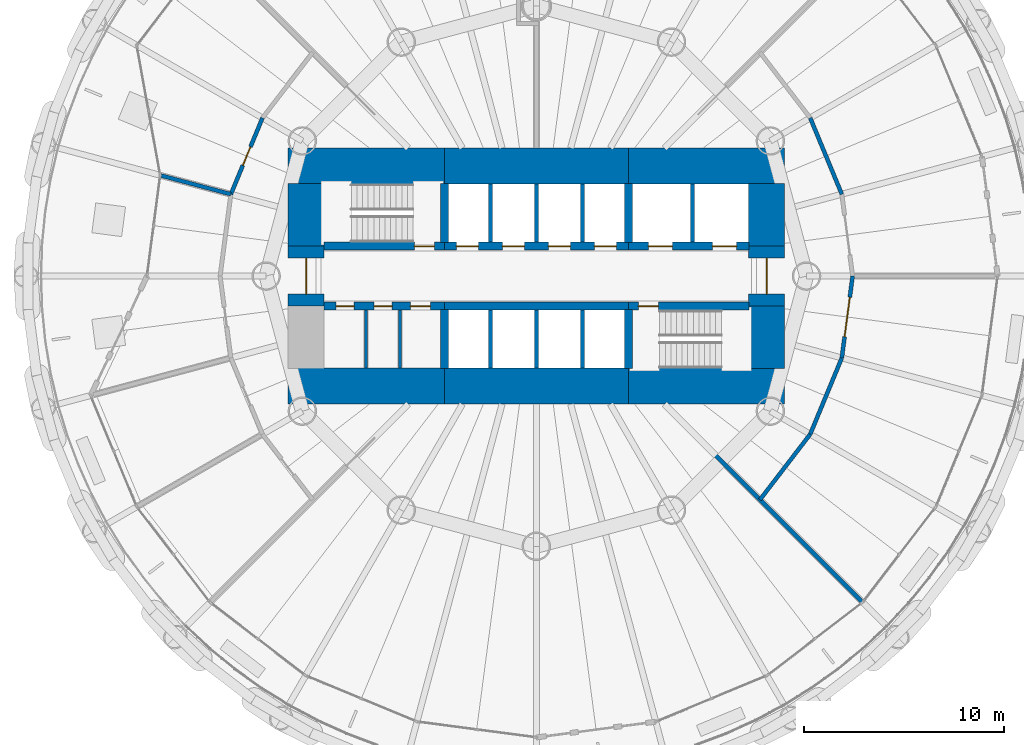
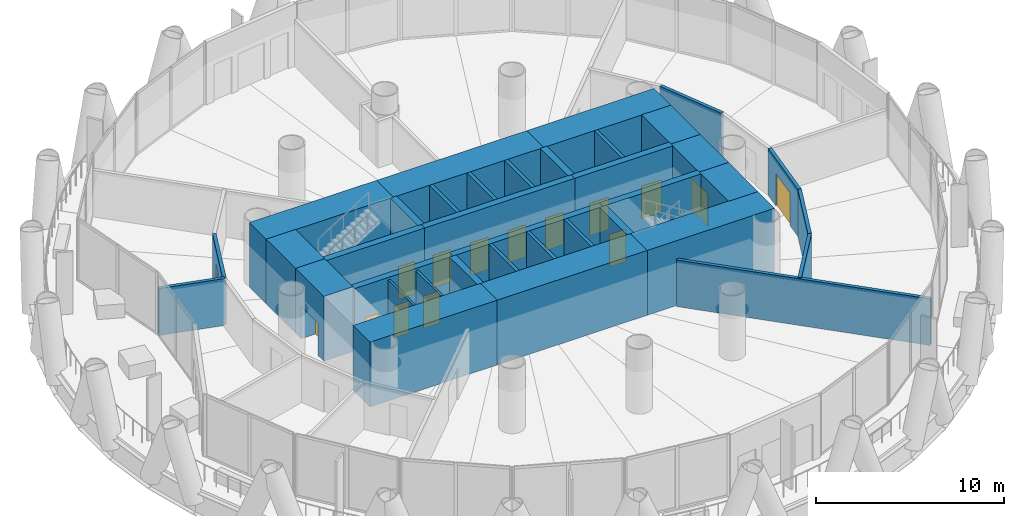
# One storey, part 10 of 15: 37 walls, 15 doors, 15 openings.
"""IFC4 building model written with IfcOpenShell, lengths in metres."""

from ifc_helpers import new_model, si_unit, direction, frame, frame_2d, origin, place, context, subcontext, project, spatial, rectangle, extrude, material, layer, layer_set, type_object, element, fill, save


model = new_model("IFC4")

# Units and contexts
model_context = context("Model", 3, precision=1e-05, world=origin(), true_north=direction((0.0, 1.0)))
body_context = subcontext(model_context, "Body", "Model", "MODEL_VIEW")
ifc_project = project(units=[si_unit("LENGTHUNIT", "METRE"), si_unit("AREAUNIT", "SQUARE_METRE"), si_unit("VOLUMEUNIT", "CUBIC_METRE"), si_unit("PLANEANGLEUNIT", "RADIAN"), si_unit("MASSUNIT", "GRAM", prefix="KILO")], contexts=[model_context])

# Site, building, storey
site_placement = place(None, origin())
site = spatial("IfcSite", under=ifc_project, at=site_placement, CompositionType="ELEMENT")
building_placement = place(site_placement, origin())
building = spatial("IfcBuilding", under=site, at=building_placement, Name="Qaws Media Tower", CompositionType="ELEMENT")
storey_placement = place(building_placement, frame((0.0, 0.0, 72.199951171875)))
storey = spatial("IfcBuildingStorey", under=building, at=storey_placement, Name="L15", CompositionType="ELEMENT", Elevation=72.199951171875)

# Wall, opening, door
ifc_material_1 = material(Name="Concrete C60/75", Category="concrete")
ifc_layer_1 = layer(ifc_material_1, 0.39990234375)
ifc_layer_set_1 = layer_set([ifc_layer_1], Name="Core inner wall 400")
wall_type_1 = type_object("IfcWallType", Name="Core inner wall 400", PredefinedType="SHEAR", material=ifc_layer_set_1)
wall_1_placement = place(storey_placement, frame((49.3798828125, 51.5, 0.0), z_axis=(0.0, 0.0, 1.0), x_axis=(1.0, 0.0, 0.0)))
wall_1 = element("IfcWall", 1, at=wall_1_placement, inside=storey, type_object=wall_type_1, Name="W311 SW4 core wall SPNW L15", PredefinedType="SHEAR", context=body_context, shape_type="SweptSolid", body=[
    extrude(rectangle(XDim=6.02001953125, YDim=0.39990234375, at=frame_2d((3.010009765625, 0.0))), origin(), (0.0, 0.0, 1.0), 4.199951171875),
])
opening_1_placement = place(wall_1_placement, frame((4.52001953125, 0.0, 0.0)))
opening_1 = element("IfcOpeningElement", 2, at=opening_1_placement, cuts=wall_1, Name="Opening D1", PredefinedType="OPENING", context=body_context, shape_type="SweptSolid", body=[
    extrude(rectangle(XDim=1.0, YDim=2.10009765625, at=frame_2d((0.5, 1.050048828125))), frame((0.0, 0.2099609375, 0.0), z_axis=(0.0, -1.0, 0.0), x_axis=(1.0, 0.0, 0.0)), (0.0, 0.0, 1.0), 0.419921875),
])
ifc_material_2 = material(Name="Steel, fire rated", Category="steel")
door_type_1 = type_object("IfcDoorType", Name="Stair door 1000 FD120", OperationType="SINGLE_SWING_LEFT", PredefinedType="DOOR", material=ifc_material_2)
door_1_placement = place(opening_1_placement, origin())
door_1 = element("IfcDoor", 3, at=door_1_placement, inside=storey, type_object=door_type_1, Name="D1 stair S1 door L15 in wall W311", OperationType="SINGLE_SWING_LEFT", OverallHeight=2.10009765625, OverallWidth=1.0, PredefinedType="DOOR", context=body_context, shape_type="SweptSolid", body=[
    extrude(rectangle(XDim=1.0, YDim=2.10009765625, at=frame_2d((0.5, 1.050048828125))), frame((0.0, 0.02490234375, 0.0), z_axis=(0.0, -1.0, 0.0), x_axis=(1.0, 0.0, 0.0)), (0.0, 0.0, 1.0), 0.050048828125),
])
fill(opening_1, door_1)

# Wall, openings, doors
wall_2_placement = place(storey_placement, frame((55.39990234375, 51.5, 0.0), z_axis=(0.0, 0.0, 1.0), x_axis=(1.0, 0.0, 0.0)))
wall_2 = element("IfcWall", 4, at=wall_2_placement, inside=storey, type_object=wall_type_1, Name="W314 SW4 core wall SPN L15", PredefinedType="SHEAR", context=body_context, shape_type="SweptSolid", body=[
    extrude(rectangle(XDim=9.2001953125, YDim=0.39990234375, at=frame_2d((4.60009765625, 0.0))), origin(), (0.0, 0.0, 1.0), 4.199951171875),
])
opening_2_placement = place(wall_2_placement, frame((0.60009765625, 0.0, 0.0)))
opening_2 = element("IfcOpeningElement", 5, at=opening_2_placement, cuts=wall_2, Name="Opening LD", PredefinedType="OPENING", context=body_context, shape_type="SweptSolid", body=[
    extrude(rectangle(XDim=1.10009765625, YDim=2.10009765625, at=frame_2d((0.550048828125, 1.050048828125))), frame((0.0, 0.2099609375, 0.0), z_axis=(0.0, -1.0, 0.0), x_axis=(1.0, 0.0, 0.0)), (0.0, 0.0, 1.0), 0.419921875),
])
opening_3_placement = place(wall_2_placement, frame((2.89990234375, 0.0, 0.0)))
opening_3 = element("IfcOpeningElement", 6, at=opening_3_placement, cuts=wall_2, Name="Opening LD", PredefinedType="OPENING", context=body_context, shape_type="SweptSolid", body=[
    extrude(rectangle(XDim=1.10009765625, YDim=2.10009765625, at=frame_2d((0.550048828125, 1.050048828125))), frame((0.0, 0.2099609375, 0.0), z_axis=(0.0, -1.0, 0.0), x_axis=(1.0, 0.0, 0.0)), (0.0, 0.0, 1.0), 0.419921875),
])
opening_4_placement = place(wall_2_placement, frame((5.199951171875, 0.0, 0.0)))
opening_4 = element("IfcOpeningElement", 7, at=opening_4_placement, cuts=wall_2, Name="Opening LD", PredefinedType="OPENING", context=body_context, shape_type="SweptSolid", body=[
    extrude(rectangle(XDim=1.10009765625, YDim=2.10009765625, at=frame_2d((0.550048828125, 1.050048828125))), frame((0.0, 0.2099609375, 0.0), z_axis=(0.0, -1.0, 0.0), x_axis=(1.0, 0.0, 0.0)), (0.0, 0.0, 1.0), 0.419921875),
])
opening_5_placement = place(wall_2_placement, frame((7.5, 0.0, 0.0)))
opening_5 = element("IfcOpeningElement", 8, at=opening_5_placement, cuts=wall_2, Name="Opening LD", PredefinedType="OPENING", context=body_context, shape_type="SweptSolid", body=[
    extrude(rectangle(XDim=1.10009765625, YDim=2.10009765625, at=frame_2d((0.550048828125, 1.050048828125))), frame((0.0, 0.2099609375, 0.0), z_axis=(0.0, -1.0, 0.0), x_axis=(1.0, 0.0, 0.0)), (0.0, 0.0, 1.0), 0.419921875),
])
ifc_material_3 = material(Name="Steel, fire rated", Category="steel")
door_type_2 = type_object("IfcDoorType", Name="Lift landing door 1100", OperationType="SLIDING_TO_LEFT", PredefinedType="DOOR", material=ifc_material_3)
door_2_placement = place(opening_2_placement, origin())
door_2 = element("IfcDoor", 9, at=door_2_placement, inside=storey, type_object=door_type_2, Name="P1 landing door L15 in wall W314", OperationType="SLIDING_TO_LEFT", OverallHeight=2.10009765625, OverallWidth=1.10009765625, PredefinedType="DOOR", context=body_context, shape_type="SweptSolid", body=[
    extrude(rectangle(XDim=1.10009765625, YDim=2.10009765625, at=frame_2d((0.550048828125, 1.050048828125))), frame((0.0, 0.02490234375, 0.0), z_axis=(0.0, -1.0, 0.0), x_axis=(1.0, 0.0, 0.0)), (0.0, 0.0, 1.0), 0.050048828125),
])
fill(opening_2, door_2)
door_3_placement = place(opening_3_placement, origin())
door_3 = element("IfcDoor", 10, at=door_3_placement, inside=storey, type_object=door_type_2, Name="P2 landing door L15 in wall W314", OperationType="SLIDING_TO_LEFT", OverallHeight=2.10009765625, OverallWidth=1.10009765625, PredefinedType="DOOR", context=body_context, shape_type="SweptSolid", body=[
    extrude(rectangle(XDim=1.10009765625, YDim=2.10009765625, at=frame_2d((0.550048828125, 1.050048828125))), frame((0.0, 0.02490234375, 0.0), z_axis=(0.0, -1.0, 0.0), x_axis=(1.0, 0.0, 0.0)), (0.0, 0.0, 1.0), 0.050048828125),
])
fill(opening_3, door_3)
door_4_placement = place(opening_4_placement, origin())
door_4 = element("IfcDoor", 11, at=door_4_placement, inside=storey, type_object=door_type_2, Name="P3 landing door L15 in wall W314", OperationType="SLIDING_TO_LEFT", OverallHeight=2.10009765625, OverallWidth=1.10009765625, PredefinedType="DOOR", context=body_context, shape_type="SweptSolid", body=[
    extrude(rectangle(XDim=1.10009765625, YDim=2.10009765625, at=frame_2d((0.550048828125, 1.050048828125))), frame((0.0, 0.02490234375, 0.0), z_axis=(0.0, -1.0, 0.0), x_axis=(1.0, 0.0, 0.0)), (0.0, 0.0, 1.0), 0.050048828125),
])
fill(opening_4, door_4)
door_5_placement = place(opening_5_placement, origin())
door_5 = element("IfcDoor", 12, at=door_5_placement, inside=storey, type_object=door_type_2, Name="P4 landing door L15 in wall W314", OperationType="SLIDING_TO_LEFT", OverallHeight=2.10009765625, OverallWidth=1.10009765625, PredefinedType="DOOR", context=body_context, shape_type="SweptSolid", body=[
    extrude(rectangle(XDim=1.10009765625, YDim=2.10009765625, at=frame_2d((0.550048828125, 1.050048828125))), frame((0.0, 0.02490234375, 0.0), z_axis=(0.0, -1.0, 0.0), x_axis=(1.0, 0.0, 0.0)), (0.0, 0.0, 1.0), 0.050048828125),
])
fill(opening_5, door_5)

wall_3_placement = place(storey_placement, frame((64.60009765625, 51.5, 0.0), z_axis=(0.0, 0.0, 1.0), x_axis=(1.0, 0.0, 0.0)))
wall_3 = element("IfcWall", 13, at=wall_3_placement, inside=storey, type_object=wall_type_1, Name="W318 SW4 core wall SPNE L15", PredefinedType="SHEAR", context=body_context, shape_type="SweptSolid", body=[
    extrude(rectangle(XDim=6.02001953125, YDim=0.39990234375, at=frame_2d((3.010009765625, 0.0))), origin(), (0.0, 0.0, 1.0), 4.199951171875),
])
opening_6_placement = place(wall_3_placement, frame((1.0, 0.0, 0.0)))
opening_6 = element("IfcOpeningElement", 14, at=opening_6_placement, cuts=wall_3, Name="Opening LD2", PredefinedType="OPENING", context=body_context, shape_type="SweptSolid", body=[
    extrude(rectangle(XDim=1.199951171875, YDim=2.10009765625, at=frame_2d((0.60009765625, 1.050048828125))), frame((0.0, 0.2099609375, 0.0), z_axis=(0.0, -1.0, 0.0), x_axis=(1.0, 0.0, 0.0)), (0.0, 0.0, 1.0), 0.419921875),
])
opening_7_placement = place(wall_3_placement, frame((4.199951171875, 0.0, 0.0)))
opening_7 = element("IfcOpeningElement", 15, at=opening_7_placement, cuts=wall_3, Name="Opening LD2", PredefinedType="OPENING", context=body_context, shape_type="SweptSolid", body=[
    extrude(rectangle(XDim=1.199951171875, YDim=2.10009765625, at=frame_2d((0.60009765625, 1.050048828125))), frame((0.0, 0.2099609375, 0.0), z_axis=(0.0, -1.0, 0.0), x_axis=(1.0, 0.0, 0.0)), (0.0, 0.0, 1.0), 0.419921875),
])
ifc_material_4 = material(Name="Steel, fire rated", Category="steel")
door_type_3 = type_object("IfcDoorType", Name="Lift landing door 1200", OperationType="SLIDING_TO_LEFT", PredefinedType="DOOR", material=ifc_material_4)
door_6_placement = place(opening_6_placement, origin())
door_6 = element("IfcDoor", 16, at=door_6_placement, inside=storey, type_object=door_type_3, Name="FL1 landing door L15 in wall W318", OperationType="SLIDING_TO_LEFT", OverallHeight=2.10009765625, OverallWidth=1.199951171875, PredefinedType="DOOR", context=body_context, shape_type="SweptSolid", body=[
    extrude(rectangle(XDim=1.199951171875, YDim=2.10009765625, at=frame_2d((0.60009765625, 1.050048828125))), frame((0.0, 0.02490234375, 0.0), z_axis=(0.0, -1.0, 0.0), x_axis=(1.0, 0.0, 0.0)), (0.0, 0.0, 1.0), 0.050048828125),
])
fill(opening_6, door_6)
door_7_placement = place(opening_7_placement, origin())
door_7 = element("IfcDoor", 17, at=door_7_placement, inside=storey, type_object=door_type_3, Name="FL2 landing door L15 in wall W318", OperationType="SLIDING_TO_LEFT", OverallHeight=2.10009765625, OverallWidth=1.199951171875, PredefinedType="DOOR", context=body_context, shape_type="SweptSolid", body=[
    extrude(rectangle(XDim=1.199951171875, YDim=2.10009765625, at=frame_2d((0.60009765625, 1.050048828125))), frame((0.0, 0.02490234375, 0.0), z_axis=(0.0, -1.0, 0.0), x_axis=(1.0, 0.0, 0.0)), (0.0, 0.0, 1.0), 0.050048828125),
])
fill(opening_7, door_7)

wall_4_placement = place(storey_placement, frame((49.3798828125, 48.5, 0.0), z_axis=(0.0, 0.0, 1.0), x_axis=(1.0, 0.0, 0.0)))
wall_4 = element("IfcWall", 18, at=wall_4_placement, inside=storey, type_object=wall_type_1, Name="W310 SW4 core wall SPSW L15", PredefinedType="SHEAR", context=body_context, shape_type="SweptSolid", body=[
    extrude(rectangle(XDim=6.02001953125, YDim=0.39990234375, at=frame_2d((3.010009765625, 0.0))), origin(), (0.0, 0.0, 1.0), 4.199951171875),
])
opening_8_placement = place(wall_4_placement, frame((0.6201171875, 0.0, 0.0)))
opening_8 = element("IfcOpeningElement", 19, at=opening_8_placement, cuts=wall_4, Name="Opening D3", PredefinedType="OPENING", context=body_context, shape_type="SweptSolid", body=[
    extrude(rectangle(XDim=0.89990234375, YDim=2.10009765625, at=frame_2d((0.449951171875, 1.050048828125))), frame((0.0, 0.2099609375, 0.0), z_axis=(0.0, -1.0, 0.0), x_axis=(1.0, 0.0, 0.0)), (0.0, 0.0, 1.0), 0.419921875),
])
opening_9_placement = place(wall_4_placement, frame((2.52001953125, 0.0, 0.0)))
opening_9 = element("IfcOpeningElement", 20, at=opening_9_placement, cuts=wall_4, Name="Opening D3", PredefinedType="OPENING", context=body_context, shape_type="SweptSolid", body=[
    extrude(rectangle(XDim=0.89990234375, YDim=2.10009765625, at=frame_2d((0.449951171875, 1.050048828125))), frame((0.0, 0.2099609375, 0.0), z_axis=(0.0, -1.0, 0.0), x_axis=(1.0, 0.0, 0.0)), (0.0, 0.0, 1.0), 0.419921875),
])
opening_10_placement = place(wall_4_placement, frame((4.320068359375, 0.0, 0.0)))
opening_10 = element("IfcOpeningElement", 21, at=opening_10_placement, cuts=wall_4, Name="Opening D4", PredefinedType="OPENING", context=body_context, shape_type="SweptSolid", body=[
    extrude(rectangle(XDim=1.0, YDim=2.10009765625, at=frame_2d((0.5, 1.050048828125))), frame((0.0, 0.2099609375, 0.0), z_axis=(0.0, -1.0, 0.0), x_axis=(1.0, 0.0, 0.0)), (0.0, 0.0, 1.0), 0.419921875),
])
ifc_material_5 = material(Name="Timber veneered", Category="wood")
door_type_4 = type_object("IfcDoorType", Name="Accessible WC door 1000", OperationType="SLIDING_TO_LEFT", PredefinedType="DOOR", material=ifc_material_5)
door_8_placement = place(opening_10_placement, origin())
door_8 = element("IfcDoor", 22, at=door_8_placement, inside=storey, type_object=door_type_4, Name="D4 toilet door 3 L15 in wall W310", OperationType="SLIDING_TO_LEFT", OverallHeight=2.10009765625, OverallWidth=1.0, PredefinedType="DOOR", context=body_context, shape_type="SweptSolid", body=[
    extrude(rectangle(XDim=1.0, YDim=2.10009765625, at=frame_2d((0.5, 1.050048828125))), frame((0.0, 0.02490234375, 0.0), z_axis=(0.0, -1.0, 0.0), x_axis=(1.0, 0.0, 0.0)), (0.0, 0.0, 1.0), 0.050048828125),
])
fill(opening_10, door_8)
ifc_material_6 = material(Name="Timber veneered", Category="wood")
door_type_5 = type_object("IfcDoorType", Name="Toilet door 900", OperationType="SINGLE_SWING_RIGHT", PredefinedType="DOOR", material=ifc_material_6)
door_9_placement = place(opening_8_placement, origin())
door_9 = element("IfcDoor", 23, at=door_9_placement, inside=storey, type_object=door_type_5, Name="D3 toilet door 1 L15 in wall W310", OperationType="SINGLE_SWING_RIGHT", OverallHeight=2.10009765625, OverallWidth=0.89990234375, PredefinedType="DOOR", context=body_context, shape_type="SweptSolid", body=[
    extrude(rectangle(XDim=0.89990234375, YDim=2.10009765625, at=frame_2d((0.449951171875, 1.050048828125))), frame((0.0, 0.02490234375, 0.0), z_axis=(0.0, -1.0, 0.0), x_axis=(1.0, 0.0, 0.0)), (0.0, 0.0, 1.0), 0.050048828125),
])
fill(opening_8, door_9)
door_10_placement = place(opening_9_placement, origin())
door_10 = element("IfcDoor", 24, at=door_10_placement, inside=storey, type_object=door_type_5, Name="D3 toilet door 2 L15 in wall W310", OperationType="SINGLE_SWING_RIGHT", OverallHeight=2.10009765625, OverallWidth=0.89990234375, PredefinedType="DOOR", context=body_context, shape_type="SweptSolid", body=[
    extrude(rectangle(XDim=0.89990234375, YDim=2.10009765625, at=frame_2d((0.449951171875, 1.050048828125))), frame((0.0, 0.02490234375, 0.0), z_axis=(0.0, -1.0, 0.0), x_axis=(1.0, 0.0, 0.0)), (0.0, 0.0, 1.0), 0.050048828125),
])
fill(opening_9, door_10)

# Wall
wall_5_placement = place(storey_placement, frame((55.39990234375, 48.5, 0.0), z_axis=(0.0, 0.0, 1.0), x_axis=(1.0, 0.0, 0.0)))
element("IfcWall", 25, at=wall_5_placement, inside=storey, type_object=wall_type_1, Name="W313 SW4 core wall SPS L15", PredefinedType="SHEAR", context=body_context, shape_type="SweptSolid", body=[
    extrude(rectangle(XDim=9.2001953125, YDim=0.39990234375, at=frame_2d((4.60009765625, 0.0))), origin(), (0.0, 0.0, 1.0), 4.199951171875),
])

# Wall, opening, door
wall_6_placement = place(storey_placement, frame((64.60009765625, 48.5, 0.0), z_axis=(0.0, 0.0, 1.0), x_axis=(1.0, 0.0, 0.0)))
wall_6 = element("IfcWall", 26, at=wall_6_placement, inside=storey, type_object=wall_type_1, Name="W317 SW4 core wall SPSE L15", PredefinedType="SHEAR", context=body_context, shape_type="SweptSolid", body=[
    extrude(rectangle(XDim=6.02001953125, YDim=0.39990234375, at=frame_2d((3.010009765625, 0.0))), origin(), (0.0, 0.0, 1.0), 4.199951171875),
])
opening_11_placement = place(wall_6_placement, frame((0.5, 0.0, 0.0)))
opening_11 = element("IfcOpeningElement", 27, at=opening_11_placement, cuts=wall_6, Name="Opening D1", PredefinedType="OPENING", context=body_context, shape_type="SweptSolid", body=[
    extrude(rectangle(XDim=1.0, YDim=2.10009765625, at=frame_2d((0.5, 1.050048828125))), frame((0.0, 0.2099609375, 0.0), z_axis=(0.0, -1.0, 0.0), x_axis=(1.0, 0.0, 0.0)), (0.0, 0.0, 1.0), 0.419921875),
])
door_11_placement = place(opening_11_placement, origin())
door_11 = element("IfcDoor", 28, at=door_11_placement, inside=storey, type_object=door_type_1, Name="D1 stair S2 door L15 in wall W317", OperationType="SINGLE_SWING_LEFT", OverallHeight=2.10009765625, OverallWidth=1.0, PredefinedType="DOOR", context=body_context, shape_type="SweptSolid", body=[
    extrude(rectangle(XDim=1.0, YDim=2.10009765625, at=frame_2d((0.5, 1.050048828125))), frame((0.0, 0.02490234375, 0.0), z_axis=(0.0, -1.0, 0.0), x_axis=(1.0, 0.0, 0.0)), (0.0, 0.0, 1.0), 0.050048828125),
])
fill(opening_11, door_11)

# Walls
for number, where, z_axis, x_axis, name in (
    (29, (55.39990234375, 51.679931640625, 0.0), (0.0, 0.0, 1.0), (0.0, 1.0, 0.0), "W315 SW4 core wall XNW L15"),
    (30, (64.60009765625, 51.679931640625, 0.0), (0.0, 0.0, 1.0), (0.0, 1.0, 0.0), "W319 SW4 core wall XNE L15"),
    (31, (55.39990234375, 48.320068359375, 0.0), (0.0, 0.0, 1.0), (0.0, -1.0, 0.0), "W312 SW4 core wall XSW L15"),
    (32, (64.60009765625, 48.320068359375, 0.0), (0.0, 0.0, 1.0), (0.0, -1.0, 0.0), "W316 SW4 core wall XSE L15"),
):
    element("IfcWall", number, at=place(storey_placement, frame(where, z_axis=z_axis, x_axis=x_axis)), inside=storey, type_object=wall_type_1, Name=name, PredefinedType="SHEAR", context=body_context, shape_type="SweptSolid", body=[
        extrude(rectangle(XDim=2.940185546875, YDim=0.39990234375, at=frame_2d((1.47021484375, 0.0))), origin(), (0.0, 0.0, 1.0), 4.199951171875),
    ])
ifc_material_7 = material(Name="Concrete C60/75", Category="concrete")
ifc_layer_2 = layer(ifc_material_7, 1.800048828125)
ifc_layer_set_2 = layer_set([ifc_layer_2], Name="Core wall 1800")
wall_type_2 = type_object("IfcWallType", Name="Core wall 1800", PredefinedType="SHEAR", material=ifc_layer_set_2)
wall_7_placement = place(storey_placement, frame((47.60009765625, 55.5, 0.0), z_axis=(0.0, 0.0, 1.0), x_axis=(1.0, 0.0, 0.0)))
element("IfcWall", 33, at=wall_7_placement, inside=storey, type_object=wall_type_2, Name="W399 SW11 core wall NW L15", PredefinedType="SHEAR", context=body_context, shape_type="SweptSolid", body=[
    extrude(rectangle(XDim=7.7998046875, YDim=1.800048828125, at=frame_2d((3.89990234375, 0.0))), origin(), (0.0, 0.0, 1.0), 4.199951171875),
])
wall_8_placement = place(storey_placement, frame((55.39990234375, 55.5, 0.0), z_axis=(0.0, 0.0, 1.0), x_axis=(1.0, 0.0, 0.0)))
element("IfcWall", 34, at=wall_8_placement, inside=storey, type_object=wall_type_2, Name="W404 SW11 core wall N L15", PredefinedType="SHEAR", context=body_context, shape_type="SweptSolid", body=[
    extrude(rectangle(XDim=9.2001953125, YDim=1.800048828125, at=frame_2d((4.60009765625, 0.0))), origin(), (0.0, 0.0, 1.0), 4.199951171875),
])
for number, where, z_axis, x_axis, name in (
    (35, (64.60009765625, 55.5, 0.0), (0.0, 0.0, 1.0), (1.0, 0.0, 0.0), "W406 SW11 core wall NE L15"),
    (36, (47.60009765625, 44.5, 0.0), (0.0, 0.0, 1.0), (1.0, 0.0, 0.0), "W398 SW11 core wall SW L15"),
):
    element("IfcWall", number, at=place(storey_placement, frame(where, z_axis=z_axis, x_axis=x_axis)), inside=storey, type_object=wall_type_2, Name=name, PredefinedType="SHEAR", context=body_context, shape_type="SweptSolid", body=[
        extrude(rectangle(XDim=7.7998046875, YDim=1.800048828125, at=frame_2d((3.89990234375, 0.0))), origin(), (0.0, 0.0, 1.0), 4.199951171875),
    ])
wall_9_placement = place(storey_placement, frame((55.39990234375, 44.5, 0.0), z_axis=(0.0, 0.0, 1.0), x_axis=(1.0, 0.0, 0.0)))
element("IfcWall", 37, at=wall_9_placement, inside=storey, type_object=wall_type_2, Name="W403 SW11 core wall S L15", PredefinedType="SHEAR", context=body_context, shape_type="SweptSolid", body=[
    extrude(rectangle(XDim=9.2001953125, YDim=1.800048828125, at=frame_2d((4.60009765625, 0.0))), origin(), (0.0, 0.0, 1.0), 4.199951171875),
])
wall_10_placement = place(storey_placement, frame((64.60009765625, 44.5, 0.0), z_axis=(0.0, 0.0, 1.0), x_axis=(1.0, 0.0, 0.0)))
element("IfcWall", 38, at=wall_10_placement, inside=storey, type_object=wall_type_2, Name="W405 SW11 core wall SE L15", PredefinedType="SHEAR", context=body_context, shape_type="SweptSolid", body=[
    extrude(rectangle(XDim=7.7998046875, YDim=1.800048828125, at=frame_2d((3.89990234375, 0.0))), origin(), (0.0, 0.0, 1.0), 4.199951171875),
])
wall_11_placement = place(storey_placement, frame((71.5, 45.3798828125, 0.0), z_axis=(0.0, 0.0, 1.0), x_axis=(0.0, 1.0, 0.0)))
element("IfcWall", 39, at=wall_11_placement, inside=storey, type_object=wall_type_2, Name="W407 SW11 core wall ES L15", PredefinedType="SHEAR", context=body_context, shape_type="SweptSolid", body=[
    extrude(rectangle(XDim=3.1201171875, YDim=1.800048828125, at=frame_2d((1.56005859375, 0.0))), origin(), (0.0, 0.0, 1.0), 4.199951171875),
])

# Wall, opening, door
wall_12_placement = place(storey_placement, frame((71.5, 48.5, 0.0), z_axis=(0.0, 0.0, 1.0), x_axis=(0.0, 1.0, 0.0)))
wall_12 = element("IfcWall", 40, at=wall_12_placement, inside=storey, type_object=wall_type_2, Name="W408 SW11 core wall E L15", PredefinedType="SHEAR", context=body_context, shape_type="SweptSolid", body=[
    extrude(rectangle(XDim=3.0, YDim=1.800048828125, at=frame_2d((1.5, 0.0))), origin(), (0.0, 0.0, 1.0), 4.199951171875),
])
opening_12_placement = place(wall_12_placement, frame((0.60009765625, 0.0, 0.0)))
opening_12 = element("IfcOpeningElement", 41, at=opening_12_placement, cuts=wall_12, Name="Opening D2", PredefinedType="OPENING", context=body_context, shape_type="SweptSolid", body=[
    extrude(rectangle(XDim=1.800048828125, YDim=2.10009765625, at=frame_2d((0.89990234375, 1.050048828125))), frame((0.0, 0.909912109375, 0.0), z_axis=(0.0, -1.0, 0.0), x_axis=(1.0, 0.0, 0.0)), (0.0, 0.0, 1.0), 1.820068359375),
])
ifc_material_8 = material(Name="Steel and glass, fire rated", Category="steel")
door_type_6 = type_object("IfcDoorType", Name="Lobby door pair 1800 FD60", OperationType="DOUBLE_DOOR_DOUBLE_SWING", PredefinedType="DOOR", material=ifc_material_8)
door_12_placement = place(opening_12_placement, origin())
door_12 = element("IfcDoor", 42, at=door_12_placement, inside=storey, type_object=door_type_6, Name="D2 core lobby door E L15 in wall W408", OperationType="DOUBLE_DOOR_DOUBLE_SWING", OverallHeight=2.10009765625, OverallWidth=1.800048828125, PredefinedType="DOOR", context=body_context, shape_type="SweptSolid", body=[
    extrude(rectangle(XDim=1.800048828125, YDim=2.10009765625, at=frame_2d((0.89990234375, 1.050048828125))), frame((0.0, 0.02490234375, 0.0), z_axis=(0.0, -1.0, 0.0), x_axis=(1.0, 0.0, 0.0)), (0.0, 0.0, 1.0), 0.050048828125),
])
fill(opening_12, door_12)

# Wall
wall_13_placement = place(storey_placement, frame((71.5, 51.5, 0.0), z_axis=(0.0, 0.0, 1.0), x_axis=(0.0, 1.0, 0.0)))
element("IfcWall", 43, at=wall_13_placement, inside=storey, type_object=wall_type_2, Name="W409 SW11 core wall EN L15", PredefinedType="SHEAR", context=body_context, shape_type="SweptSolid", body=[
    extrude(rectangle(XDim=3.1201171875, YDim=1.800048828125, at=frame_2d((1.56005859375, 0.0))), origin(), (0.0, 0.0, 1.0), 4.199951171875),
])

# Wall, opening, door
wall_14_placement = place(storey_placement, frame((48.5, 48.5, 0.0), z_axis=(0.0, 0.0, 1.0), x_axis=(0.0, 1.0, 0.0)))
wall_14 = element("IfcWall", 44, at=wall_14_placement, inside=storey, type_object=wall_type_2, Name="W401 SW11 core wall W L15", PredefinedType="SHEAR", context=body_context, shape_type="SweptSolid", body=[
    extrude(rectangle(XDim=3.0, YDim=1.800048828125, at=frame_2d((1.5, 0.0))), origin(), (0.0, 0.0, 1.0), 4.199951171875),
])
opening_13_placement = place(wall_14_placement, frame((0.60009765625, 0.0, 0.0)))
opening_13 = element("IfcOpeningElement", 45, at=opening_13_placement, cuts=wall_14, Name="Opening D2", PredefinedType="OPENING", context=body_context, shape_type="SweptSolid", body=[
    extrude(rectangle(XDim=1.800048828125, YDim=2.10009765625, at=frame_2d((0.89990234375, 1.050048828125))), frame((0.0, 0.909912109375, 0.0), z_axis=(0.0, -1.0, 0.0), x_axis=(1.0, 0.0, 0.0)), (0.0, 0.0, 1.0), 1.820068359375),
])
door_13_placement = place(opening_13_placement, origin())
door_13 = element("IfcDoor", 46, at=door_13_placement, inside=storey, type_object=door_type_6, Name="D2 core lobby door W L15 in wall W401", OperationType="DOUBLE_DOOR_DOUBLE_SWING", OverallHeight=2.10009765625, OverallWidth=1.800048828125, PredefinedType="DOOR", context=body_context, shape_type="SweptSolid", body=[
    extrude(rectangle(XDim=1.800048828125, YDim=2.10009765625, at=frame_2d((0.89990234375, 1.050048828125))), frame((0.0, 0.02490234375, 0.0), z_axis=(0.0, -1.0, 0.0), x_axis=(1.0, 0.0, 0.0)), (0.0, 0.0, 1.0), 0.050048828125),
])
fill(opening_13, door_13)

# Wall
wall_15_placement = place(storey_placement, frame((48.5, 51.5, 0.0), z_axis=(0.0, 0.0, 1.0), x_axis=(0.0, 1.0, 0.0)))
element("IfcWall", 47, at=wall_15_placement, inside=storey, type_object=wall_type_2, Name="W402 SW11 core wall WN L15", PredefinedType="SHEAR", context=body_context, shape_type="SweptSolid", body=[
    extrude(rectangle(XDim=3.1201171875, YDim=1.800048828125, at=frame_2d((1.56005859375, 0.0))), origin(), (0.0, 0.0, 1.0), 4.199951171875),
])

# Wall, opening, door
ifc_material_9 = material(Name="Gypsum board on galvanised metal studs, acoustic double stud, deflection head", Category="gypsum")
ifc_layer_3 = layer(ifc_material_9, 0.199951171875)
ifc_layer_set_3 = layer_set([ifc_layer_3], Name="Room partition 200")
wall_type_3 = type_object("IfcWallType", Name="Room partition 200", PredefinedType="PARTITIONING", material=ifc_layer_set_3)
wall_16_placement = place(storey_placement, frame((44.73828125, 54.08935546875, 0.0), z_axis=(0.0, 0.0, 1.0), x_axis=(0.382731667114, 0.923859551549, 0.0)))
wall_16 = element("IfcWall", 48, at=wall_16_placement, inside=storey, type_object=wall_type_3, Name="W944 IW3 partition L15", PredefinedType="PARTITIONING", context=body_context, shape_type="SweptSolid", body=[
    extrude(rectangle(XDim=4.12451171875, YDim=0.199951171875, at=frame_2d((2.062255859375, 0.0))), origin(), (0.0, 0.0, 1.0), 3.0400390625),
])
opening_14_placement = place(wall_16_placement, frame((1.562255859375, 0.0, 0.0)))
opening_14 = element("IfcOpeningElement", 49, at=opening_14_placement, cuts=wall_16, Name="Opening D5", PredefinedType="OPENING", context=body_context, shape_type="SweptSolid", body=[
    extrude(rectangle(XDim=1.0, YDim=2.10009765625, at=frame_2d((0.5, 1.050048828125))), frame((0.0, 0.10986328125, 0.0), z_axis=(0.0, -1.0, 0.0), x_axis=(1.0, 0.0, 0.0)), (0.0, 0.0, 1.0), 0.219970703125),
])
ifc_material_10 = material(Name="Timber veneered, acoustic seal", Category="wood")
door_type_7 = type_object("IfcDoorType", Name="Room door 1000", OperationType="SINGLE_SWING_LEFT", PredefinedType="DOOR", material=ifc_material_10)
door_14_placement = place(opening_14_placement, origin())
door_14 = element("IfcDoor", 50, at=door_14_placement, inside=storey, type_object=door_type_7, Name="D5 Graphics studio door L15 in wall W944", OperationType="SINGLE_SWING_LEFT", OverallHeight=2.10009765625, OverallWidth=1.0, PredefinedType="DOOR", context=body_context, shape_type="SweptSolid", body=[
    extrude(rectangle(XDim=1.0, YDim=2.10009765625, at=frame_2d((0.5, 1.050048828125))), frame((0.0, 0.02490234375, 0.0), z_axis=(0.0, -1.0, 0.0), x_axis=(1.0, 0.0, 0.0)), (0.0, 0.0, 1.0), 0.050048828125),
])
fill(opening_14, door_14)

# Wall
wall_17_placement = place(storey_placement, frame((73.68310546875, 57.89990234375, 0.0), z_axis=(0.0, 0.0, 1.0), x_axis=(0.382731667114, -0.923859551549, 0.0)))
element("IfcWall", 51, at=wall_17_placement, inside=storey, type_object=wall_type_3, Name="W956 IW3 partition L15", PredefinedType="PARTITIONING", context=body_context, shape_type="SweptSolid", body=[
    extrude(rectangle(XDim=4.12451171875, YDim=0.199951171875, at=frame_2d((2.062255859375, 0.0))), origin(), (0.0, 0.0, 1.0), 3.0400390625),
])

# Wall, opening, door
wall_18_placement = place(storey_placement, frame((75.800048828125, 50.0, 0.0), z_axis=(0.0, 0.0, 1.0), x_axis=(-0.130515758099, -0.991446234996, 0.0)))
wall_18 = element("IfcWall", 52, at=wall_18_placement, inside=storey, type_object=wall_type_3, Name="W959 IW3 partition L15", PredefinedType="PARTITIONING", context=body_context, shape_type="SweptSolid", body=[
    extrude(rectangle(XDim=4.124755859375, YDim=0.199951171875, at=frame_2d((2.0625, 0.0))), origin(), (0.0, 0.0, 1.0), 3.0400390625),
])
opening_15_placement = place(wall_18_placement, frame((1.062255859375, 0.0, 0.0)))
opening_15 = element("IfcOpeningElement", 53, at=opening_15_placement, cuts=wall_18, Name="Opening D6", PredefinedType="OPENING", context=body_context, shape_type="SweptSolid", body=[
    extrude(rectangle(XDim=2.0, YDim=2.10009765625, at=frame_2d((1.0, 1.050048828125))), frame((0.0, 0.10986328125, 0.0), z_axis=(0.0, -1.0, 0.0), x_axis=(1.0, 0.0, 0.0)), (0.0, 0.0, 1.0), 0.219970703125),
])
ifc_material_11 = material(Name="Steel, acoustic, fire rated", Category="steel")
door_type_8 = type_object("IfcDoorType", Name="Room door pair 2000", OperationType="DOUBLE_DOOR_DOUBLE_SWING", PredefinedType="DOOR", material=ifc_material_11)
door_15_placement = place(opening_15_placement, origin())
door_15 = element("IfcDoor", 54, at=door_15_placement, inside=storey, type_object=door_type_8, Name="D6 Media lab door L15 in wall W959", OperationType="DOUBLE_DOOR_DOUBLE_SWING", OverallHeight=2.10009765625, OverallWidth=2.0, PredefinedType="DOOR", context=body_context, shape_type="SweptSolid", body=[
    extrude(rectangle(XDim=2.0, YDim=2.10009765625, at=frame_2d((1.0, 1.050048828125))), frame((0.0, 0.02490234375, 0.0), z_axis=(0.0, -1.0, 0.0), x_axis=(1.0, 0.0, 0.0)), (0.0, 0.0, 1.0), 0.050048828125),
])
fill(opening_15, door_15)

# Walls
wall_19_placement = place(storey_placement, frame((75.26171875, 45.91064453125, 0.0), z_axis=(0.0, 0.0, 1.0), x_axis=(-0.382731667114, -0.923859551549, 0.0)))
element("IfcWall", 55, at=wall_19_placement, inside=storey, type_object=wall_type_3, Name="W957 IW3 partition L15", PredefinedType="PARTITIONING", context=body_context, shape_type="SweptSolid", body=[
    extrude(rectangle(XDim=4.12451171875, YDim=0.199951171875, at=frame_2d((2.062255859375, 0.0))), origin(), (0.0, 0.0, 1.0), 3.0400390625),
])
wall_20_placement = place(storey_placement, frame((73.68310546875, 42.10009765625, 0.0), z_axis=(0.0, 0.0, 1.0), x_axis=(-0.608714823874, -0.793389099494, 0.0)))
element("IfcWall", 56, at=wall_20_placement, inside=storey, type_object=wall_type_3, Name="W954 IW3 partition L15", PredefinedType="PARTITIONING", context=body_context, shape_type="SweptSolid", body=[
    extrude(rectangle(XDim=4.124755859375, YDim=0.199951171875, at=frame_2d((2.0625, 0.0))), origin(), (0.0, 0.0, 1.0), 3.0400390625),
])
wall_21_placement = place(storey_placement, frame((44.73828125, 54.08935546875, 0.0), z_axis=(0.0, 0.0, 1.0), x_axis=(-0.965923296228, 0.258828487233, 0.0)))
element("IfcWall", 57, at=wall_21_placement, inside=storey, type_object=wall_type_3, Name="W1081 IW3 partition L15", PredefinedType="PARTITIONING", context=body_context, shape_type="SweptSolid", body=[
    extrude(rectangle(XDim=3.60986328125, YDim=0.199951171875, at=frame_2d((1.804931640625, 0.0))), origin(), (0.0, 0.0, 1.0), 3.0400390625),
])
wall_22_placement = place(storey_placement, frame((66.39990234375, 43.60009765625, 0.0), z_axis=(0.0, 0.0, 1.0), x_axis=(0.707106781187, -0.707106781187, 0.0)))
element("IfcWall", 58, at=wall_22_placement, inside=storey, type_object=wall_type_3, Name="W1086 IW3 partition L15", PredefinedType="PARTITIONING", context=body_context, shape_type="SweptSolid", body=[
    extrude(rectangle(XDim=13.959228515625, YDim=0.199951171875, at=frame_2d((6.9794921875, 0.0))), origin(), (0.0, 0.0, 1.0), 3.02001953125),
])
ifc_material_12 = material(Name="Fire-rated gypsum board shaft wall on galvanised metal studs, deflection head", Category="gypsum")
ifc_layer_4 = layer(ifc_material_12, 0.199951171875)
ifc_layer_set_4 = layer_set([ifc_layer_4], Name="Shaft wall 200")
wall_type_4 = type_object("IfcWallType", Name="Shaft wall 200", PredefinedType="PARTITIONING", material=ifc_layer_set_4)
for number, where, z_axis, x_axis, name in (
    (59, (57.699951171875, 51.699951171875, 0.0), (0.0, 0.0, 1.0), (0.0, 1.0, 0.0), "W1842 IW1 shaft wall N1 L15"),
    (60, (60.0, 51.699951171875, 0.0), (0.0, 0.0, 1.0), (0.0, 1.0, 0.0), "W1843 IW1 shaft wall N2 L15"),
    (61, (62.300048828125, 51.699951171875, 0.0), (0.0, 0.0, 1.0), (0.0, 1.0, 0.0), "W1844 IW1 shaft wall N3 L15"),
    (62, (57.699951171875, 45.39990234375, 0.0), (0.0, 0.0, 1.0), (0.0, 1.0, 0.0), "W1835 IW1 shaft wall S1 L15"),
    (63, (60.0, 45.39990234375, 0.0), (0.0, 0.0, 1.0), (0.0, 1.0, 0.0), "W1837 IW1 shaft wall S2 L15"),
    (64, (62.300048828125, 45.39990234375, 0.0), (0.0, 0.0, 1.0), (0.0, 1.0, 0.0), "W1839 IW1 shaft wall S3 L15"),
    (65, (67.800048828125, 51.699951171875, 0.0), (0.0, 0.0, 1.0), (0.0, 1.0, 0.0), "W1845 IW1 shaft wall FL L15"),
):
    element("IfcWall", number, at=place(storey_placement, frame(where, z_axis=z_axis, x_axis=x_axis)), inside=storey, type_object=wall_type_4, Name=name, PredefinedType="PARTITIONING", context=body_context, shape_type="SweptSolid", body=[
        extrude(rectangle(XDim=2.900146484375, YDim=0.199951171875, at=frame_2d((1.4501953125, 0.0))), origin(), (0.0, 0.0, 1.0), 4.199951171875),
    ])
ifc_material_13 = material(Name="Gypsum board on galvanised metal studs, deflection head", Category="gypsum")
ifc_layer_5 = layer(ifc_material_13, 0.14990234375)
ifc_layer_set_5 = layer_set([ifc_layer_5], Name="WC partition 150")
wall_type_5 = type_object("IfcWallType", Name="WC partition 150", PredefinedType="PARTITIONING", material=ifc_layer_set_5)
for number, where, z_axis, x_axis, name in (
    (66, (51.5, 45.39990234375, 0.0), (0.0, 0.0, 1.0), (0.0, 1.0, 0.0), "W1900 IW2 toilet partition 1 L15"),
    (67, (53.199951171875, 45.39990234375, 0.0), (0.0, 0.0, 1.0), (0.0, 1.0, 0.0), "W1901 IW2 toilet partition 2 L15"),
):
    element("IfcWall", number, at=place(storey_placement, frame(where, z_axis=z_axis, x_axis=x_axis)), inside=storey, type_object=wall_type_5, Name=name, PredefinedType="PARTITIONING", context=body_context, shape_type="SweptSolid", body=[
        extrude(rectangle(XDim=2.900146484375, YDim=0.14990234375, at=frame_2d((1.4501953125, 0.0))), origin(), (0.0, 0.0, 1.0), 4.0400390625),
    ])

save(model, "model.ifc")
